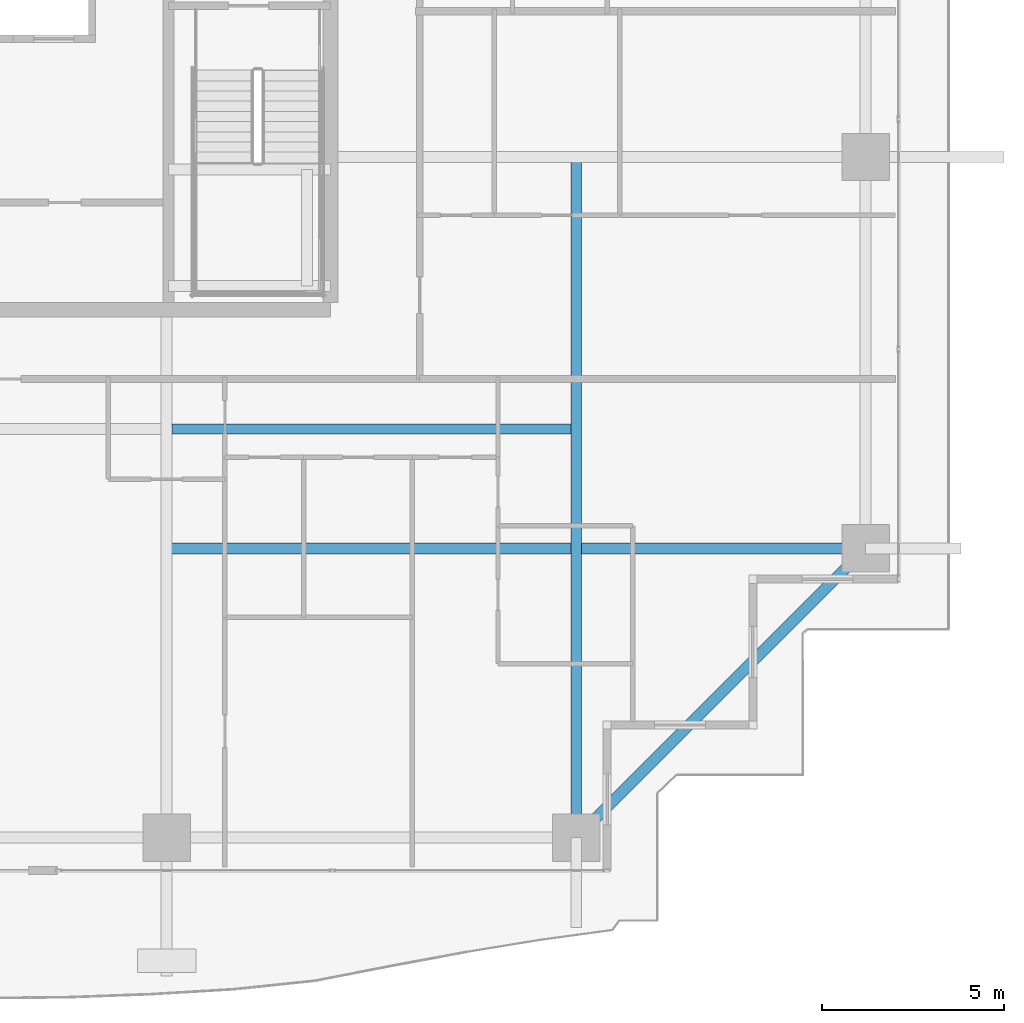
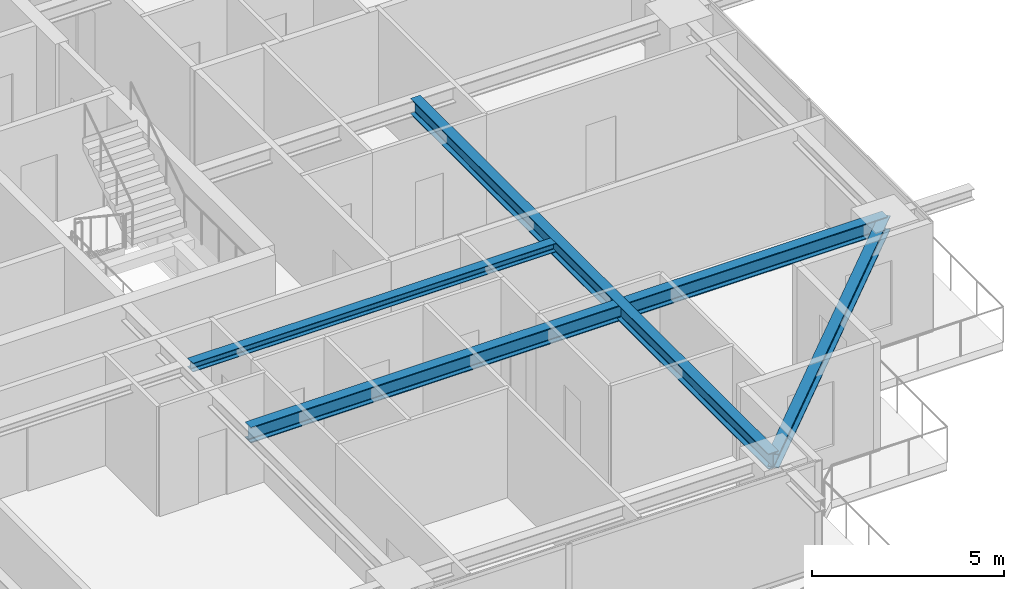
# One storey, part 12 of 34: 4 beams.
"""IFC4 building model written with IfcOpenShell, lengths in metres."""

import ifcopenshell
import ifcopenshell.guid

model = None  # the IFC model being written
_history = None  # IfcOwnerHistory: only IFC2X3 demands one
_inside = {}  # id of a spatial element -> (the spatial element, [elements in it])
_under = {}  # id of a project, library or spatial element -> (it, [spatial elements below it])
_declared = {}  # id of a project -> (the project, [libraries it declares])
_typed = {}  # id of a type object -> (the type object, [elements of that type])
_made_of = {}  # id of a material, layer set ... -> (it, [elements and type objects made of it])


def new_model(schema):
    """Start an empty IFC model of exactly this schema.

    Asked for "IFC4X3", IfcOpenShell would pick the latest addendum, in which some entities
    have other attributes; the version numbers below select the first issue.
    IFC2X3 requires an IfcOwnerHistory on every rooted entity: one is made here for all.
    """
    global model, _history
    if schema == "IFC4X3":
        model = ifcopenshell.file(schema_version=(4, 3, 0, 0))
    else:
        model = ifcopenshell.file(schema=schema)
    _inside.clear()
    _under.clear()
    _declared.clear()
    _typed.clear()
    _made_of.clear()
    _history = None
    if model.schema == "IFC2X3":
        org = make("IfcOrganization", Name="unknown")
        user = make(
            "IfcPersonAndOrganization",
            ThePerson=make("IfcPerson", FamilyName="unknown"),
            TheOrganization=org,
        )
        app = make(
            "IfcApplication",
            ApplicationDeveloper=org,
            Version="unknown",
            ApplicationFullName="unknown",
            ApplicationIdentifier="unknown",
        )
        _history = make(
            "IfcOwnerHistory",
            OwningUser=user,
            OwningApplication=app,
            ChangeAction="ADDED",
            CreationDate=0,
        )
    return model


def make(cls, **values):
    """One entity of the class cls with the attributes given. An attribute that is None is left unset."""
    return model.create_entity(
        cls, **{name: value for name, value in values.items() if value is not None}
    )


def rooted(cls, **values):
    """An entity with a GlobalId (a new one), such as an element, a storey or a relation."""
    return make(cls, GlobalId=ifcopenshell.guid.new(), OwnerHistory=_history, **values)


def si_unit(unit_type, name, prefix=None):
    """IfcSIUnit, for example si_unit("LENGTHUNIT", "METRE", prefix="MILLI")."""
    return make("IfcSIUnit", UnitType=unit_type, Prefix=prefix, Name=name)


def assignment(units):
    """IfcUnitAssignment: the units of a project."""
    return None if units is None else make("IfcUnitAssignment", Units=units)


def point(xyz):
    """IfcCartesianPoint."""
    return None if xyz is None else make("IfcCartesianPoint", Coordinates=xyz)


def direction(xyz):
    """IfcDirection."""
    return None if xyz is None else make("IfcDirection", DirectionRatios=xyz)


def frame(location, z_axis=None, x_axis=None):
    """IfcAxis2Placement3D, a coordinate frame: its origin and axes. An axis left out is left unset."""
    return make(
        "IfcAxis2Placement3D",
        Location=point(location),
        Axis=direction(z_axis),
        RefDirection=direction(x_axis),
    )


def frame_2d(location, x_axis=None):
    """IfcAxis2Placement2D, a coordinate frame in the plane: its origin and x axis."""
    return make(
        "IfcAxis2Placement2D", Location=point(location), RefDirection=direction(x_axis)
    )


def origin():
    """The frame at (0, 0, 0) with its axes left unset."""
    return frame((0.0, 0.0, 0.0))


def origin_2d():
    """The frame at (0, 0) in the plane with its x axis left unset."""
    return frame_2d((0.0, 0.0))


def place(relative_to, where):
    """IfcLocalPlacement: puts the frame where relative to a parent placement (None: the world)."""
    return make(
        "IfcLocalPlacement", PlacementRelTo=relative_to, RelativePlacement=where
    )


def context(
    kind, dimensions, precision=None, world=None, true_north=None, identifier=None
):
    """IfcGeometricRepresentationContext, for example the 3D "Model" context."""
    return make(
        "IfcGeometricRepresentationContext",
        ContextIdentifier=identifier,
        ContextType=kind,
        CoordinateSpaceDimension=dimensions,
        Precision=precision,
        WorldCoordinateSystem=world,
        TrueNorth=true_north,
    )


def subcontext(parent, identifier, kind, view, scale=None):
    """IfcGeometricRepresentationSubContext, for example "Body" below "Model"."""
    return make(
        "IfcGeometricRepresentationSubContext",
        ContextIdentifier=identifier,
        ContextType=kind,
        ParentContext=parent,
        TargetScale=scale,
        TargetView=view,
    )


def project(units=None, contexts=None):
    """IfcProject with its units and contexts."""
    return rooted(
        "IfcProject",
        Name="project",
        RepresentationContexts=contexts,
        UnitsInContext=assignment(units),
    )


def spatial(cls, under=None, at=None, **own):
    """A site, building, storey or space (cls), placed at a placement, below another one or the project."""
    s = rooted(cls, ObjectPlacement=at, **own)
    if under is not None:
        _under.setdefault(under.id(), (under, []))[1].append(s)
    return s


def profile(cls, at=None, kind="AREA", **sizes):
    """A parametric profile (cls). Its sizes go by their IFC names, for example OverallWidth=200.0."""
    return make(cls, ProfileType=kind, Position=at, **sizes)


def i_section(**sizes):
    """IfcIShapeProfileDef."""
    return profile("IfcIShapeProfileDef", **sizes)


def extrude(swept, where, along, depth):
    """IfcExtrudedAreaSolid: the profile swept, set in the frame where, extruded along a direction by depth."""
    return make(
        "IfcExtrudedAreaSolid",
        SweptArea=swept,
        Position=where,
        ExtrudedDirection=direction(along),
        Depth=depth,
    )


def shape(context_of_items, identifier, shape_type, items):
    """IfcShapeRepresentation: the items that make up one representation, for example the "Body"."""
    return make(
        "IfcShapeRepresentation",
        ContextOfItems=context_of_items,
        RepresentationIdentifier=identifier,
        RepresentationType=shape_type,
        Items=items,
    )


def source(mapping_origin, context_of_items, identifier, shape_type, items):
    """IfcRepresentationMap: a shape defined once, which mapped items show again and again."""
    return make(
        "IfcRepresentationMap",
        MappingOrigin=mapping_origin,
        MappedRepresentation=shape(context_of_items, identifier, shape_type, items),
    )


def transform(
    local_origin,
    x_axis=None,
    y_axis=None,
    z_axis=None,
    scale=None,
    scale2=None,
    scale3=None,
    uniform=True,
):
    """IfcCartesianTransformationOperator3D, or its non-uniform kind. x_axis, y_axis, z_axis: its Axis1, 2, 3."""
    if uniform:
        return make(
            "IfcCartesianTransformationOperator3D",
            Axis1=direction(x_axis),
            Axis2=direction(y_axis),
            LocalOrigin=point(local_origin),
            Scale=scale,
            Axis3=direction(z_axis),
        )
    return make(
        "IfcCartesianTransformationOperator3DnonUniform",
        Axis1=direction(x_axis),
        Axis2=direction(y_axis),
        LocalOrigin=point(local_origin),
        Scale=scale,
        Axis3=direction(z_axis),
        Scale2=scale2,
        Scale3=scale3,
    )


def mapped(mapping_source, mapping_target):
    """IfcMappedItem: shows the shape of a source again, moved by a transform."""
    return make(
        "IfcMappedItem", MappingSource=mapping_source, MappingTarget=mapping_target
    )


def material(Name=None, Category=None):
    """IfcMaterial."""
    return make("IfcMaterial", Name=Name, Category=Category)


def material_profile(
    of_material, cross_section, Name=None, Category=None, Priority=None
):
    """IfcMaterialProfile: a cross section and its material."""
    return make(
        "IfcMaterialProfile",
        Name=Name,
        Material=of_material,
        Profile=cross_section,
        Priority=Priority,
        Category=Category,
    )


def profile_set(profiles, Name=None, composite=None):
    """IfcMaterialProfileSet."""
    return make(
        "IfcMaterialProfileSet",
        Name=Name,
        MaterialProfiles=profiles,
        CompositeProfile=composite,
    )


def made_of(thing, what):
    """Note that an element or type object is made of a material, layer set ...; save() writes the relation."""
    if what is not None:
        _made_of.setdefault(what.id(), (what, []))[1].append(thing)
    return thing


def type_object(cls, material=None, **own):
    """A type object (cls), such as IfcWallType, which elements share."""
    return made_of(rooted(cls, **own), material)


def element(
    cls,
    number,
    at=None,
    inside=None,
    cuts=None,
    type_object=None,
    material=None,
    context=None,
    identifier="Body",
    shape_type=None,
    held_by="IfcProductDefinitionShape",
    body=None,
    shapes=None,
    **own,
):
    """One element of the class cls, such as IfcWall. Its Tag is "e" and its number.

    at: its placement. inside: the storey or other place that contains it. cuts: it is an
    opening in that element (IfcRelVoidsElement). A single representation is given by context,
    identifier, shape_type and body (its items); several are given by shapes. held_by: the class
    of the entity that holds the representations. save() writes the other relations.
    """
    e = rooted(cls, Tag="e%d" % number, ObjectPlacement=at, **own)
    if body is not None:
        shapes = [shape(context, identifier, shape_type, body)]
    if shapes is not None:
        e.Representation = make(held_by, Representations=shapes)
    if inside is not None:
        _inside.setdefault(inside.id(), (inside, []))[1].append(e)
    if cuts is not None:
        rooted(
            "IfcRelVoidsElement", RelatingBuildingElement=cuts, RelatedOpeningElement=e
        )
    if type_object is not None:
        _typed.setdefault(type_object.id(), (type_object, []))[1].append(e)
    return made_of(e, material)


def aggregate(whole, parts):
    """IfcRelAggregates: a whole, such as a stair, and the parts it consists of."""
    return rooted("IfcRelAggregates", RelatingObject=whole, RelatedObjects=parts)


def save(model, path):
    """Write the relations noted so far, then the file.

    IfcRelAggregates (storeys below a building ...), IfcRelContainedInSpatialStructure (elements
    in a storey), IfcRelDefinesByType, IfcRelAssociatesMaterial and IfcRelDeclares: one each for
    every whole, place, type object, material and project.
    """
    for whole, parts in _under.values():
        aggregate(whole, parts)
    for where, things in _inside.values():
        rooted(
            "IfcRelContainedInSpatialStructure",
            RelatedElements=things,
            RelatingStructure=where,
        )
    for kind, things in _typed.values():
        rooted("IfcRelDefinesByType", RelatedObjects=things, RelatingType=kind)
    for what, things in _made_of.values():
        rooted("IfcRelAssociatesMaterial", RelatedObjects=things, RelatingMaterial=what)
    for by, libraries in _declared.values():
        rooted("IfcRelDeclares", RelatingContext=by, RelatedDefinitions=libraries)
    model.write(path)


model = new_model("IFC4")

# Units and contexts
model_context = context("Model", 3, precision=1e-05, world=origin(), true_north=direction((0.0, 1.0)))
body_context = subcontext(model_context, "Body", "Model", "MODEL_VIEW")
ifc_project = project(units=[si_unit("LENGTHUNIT", "METRE"), si_unit("AREAUNIT", "SQUARE_METRE"), si_unit("VOLUMEUNIT", "CUBIC_METRE"), si_unit("PLANEANGLEUNIT", "RADIAN"), si_unit("MASSUNIT", "GRAM", prefix="KILO")], contexts=[model_context])

# Site, building, storey
site_placement = place(None, origin())
site = spatial("IfcSite", under=ifc_project, at=site_placement, CompositionType="ELEMENT")
building_placement = place(site_placement, origin())
building = spatial("IfcBuilding", under=site, at=building_placement, Name="Serunith Strait Residences", CompositionType="ELEMENT")
storey_placement = place(building_placement, frame((0.0, 0.0, 142.64990234375)))
storey = spatial("IfcBuildingStorey", under=building, at=storey_placement, Name="L35", CompositionType="ELEMENT", Elevation=142.64990234375)

# Beams
ifc_material = material(Name="Steel S355J2", Category="steel")
ifc_material_profile_1 = material_profile(ifc_material, i_section(OverallWidth=0.300048828125, OverallDepth=0.5, WebThickness=0.014404296875, FlangeThickness=0.028076171875, FilletRadius=0.027099609375, at=origin_2d()), Name="HEB 500")
ifc_profile_set_1 = profile_set([ifc_material_profile_1], Name="Steel S355J2")
beam_type_1 = type_object("IfcBeamType", Name="BM-HEB500", PredefinedType="BEAM", material=ifc_profile_set_1)
shared_shape_1 = source(origin(), body_context, "Body", "SweptSolid", [
    extrude(i_section(OverallWidth=0.300048828125, OverallDepth=0.5, WebThickness=0.014404296875, FlangeThickness=0.028076171875, FilletRadius=0.027099609375, at=origin_2d()), origin(), (0.0, 0.0, 1.0), 18.699951171875),
])
beam_1_placement = place(storey_placement, frame((48.14990234375, 21.0, 3.237060546875), z_axis=(0.0, -1.0, 0.0), x_axis=(1.0, 0.0, 0.0)))
element("IfcBeam", 1, at=beam_1_placement, inside=storey, type_object=beam_type_1, Name="L35 Orthogonal Corner Girder TC-S4", PredefinedType="BEAM", context=body_context, shape_type="MappedRepresentation", body=[
    mapped(shared_shape_1, transform((0.0, 0.0, 0.0), scale=1.0)),
])
shared_shape_2 = source(origin(), body_context, "Body", "SweptSolid", [
    extrude(i_section(OverallWidth=0.300048828125, OverallDepth=0.5, WebThickness=0.014404296875, FlangeThickness=0.028076171875, FilletRadius=0.027099609375, at=origin_2d()), origin(), (0.0, 0.0, 1.0), 19.2001953125),
])
beam_2_placement = place(storey_placement, frame((36.89990234375, 10.25, 3.237060546875), z_axis=(1.0, 0.0, 0.0), x_axis=(0.0, 1.0, 0.0)))
element("IfcBeam", 2, at=beam_2_placement, inside=storey, type_object=beam_type_1, Name="L35 Orthogonal Corner Girder TC-E1", PredefinedType="BEAM", context=body_context, shape_type="MappedRepresentation", body=[
    mapped(shared_shape_2, transform((0.0, 0.0, 0.0), scale=1.0)),
])
ifc_material_profile_2 = material_profile(ifc_material, i_section(OverallWidth=0.300048828125, OverallDepth=0.449951171875, WebThickness=0.013916015625, FlangeThickness=0.02587890625, FilletRadius=0.027099609375, at=origin_2d()), Name="HEB 450")
ifc_profile_set_2 = profile_set([ifc_material_profile_2], Name="Steel S355J2")
beam_type_2 = type_object("IfcBeamType", Name="BM-HEB450", PredefinedType="BEAM", material=ifc_profile_set_2)
shared_shape_3 = source(origin(), body_context, "Body", "SweptSolid", [
    extrude(i_section(OverallWidth=0.300048828125, OverallDepth=0.449951171875, WebThickness=0.013916015625, FlangeThickness=0.02587890625, FilletRadius=0.027099609375, at=origin_2d()), origin(), (0.0, 0.0, 1.0), 11.2431640625),
])
beam_3_placement = place(storey_placement, frame((48.14990234375, 2.300048828125, 3.232177734375), z_axis=(0.707117638455, 0.707095923751, 0.0), x_axis=(-0.707095923751, 0.707117638455, 0.0)))
element("IfcBeam", 3, at=beam_3_placement, inside=storey, type_object=beam_type_2, Name="L35 Perimeter Ring Beam 04", PredefinedType="BEAM", context=body_context, shape_type="MappedRepresentation", body=[
    mapped(shared_shape_3, transform((0.0, 0.0, 0.0), scale=1.0)),
])
ifc_material_profile_3 = material_profile(ifc_material, i_section(OverallWidth=0.280029296875, OverallDepth=0.280029296875, WebThickness=0.010498046875, FlangeThickness=0.01806640625, FilletRadius=0.02392578125, at=origin_2d()), Name="HEB 280")
ifc_profile_set_3 = profile_set([ifc_material_profile_3], Name="Steel S355J2")
beam_type_3 = type_object("IfcBeamType", Name="BM-HEB280", PredefinedType="JOIST", material=ifc_profile_set_3)
shared_shape_4 = source(origin(), body_context, "Body", "SweptSolid", [
    extrude(i_section(OverallWidth=0.280029296875, OverallDepth=0.280029296875, WebThickness=0.010498046875, FlangeThickness=0.01806640625, FilletRadius=0.02392578125, at=origin_2d()), origin(), (0.0, 0.0, 1.0), 10.949951171875),
])
beam_4_placement = place(storey_placement, frame((37.050048828125, 13.52490234375, 3.34716796875), z_axis=(1.0, 0.0, 0.0), x_axis=(0.0, 1.0, 0.0)))
element("IfcBeam", 4, at=beam_4_placement, inside=storey, type_object=beam_type_3, Name="L35 Composite Floor Joist 03", PredefinedType="JOIST", context=body_context, shape_type="MappedRepresentation", body=[
    mapped(shared_shape_4, transform((0.0, 0.0, 0.0), scale=1.0)),
])

save(model, "model.ifc")
